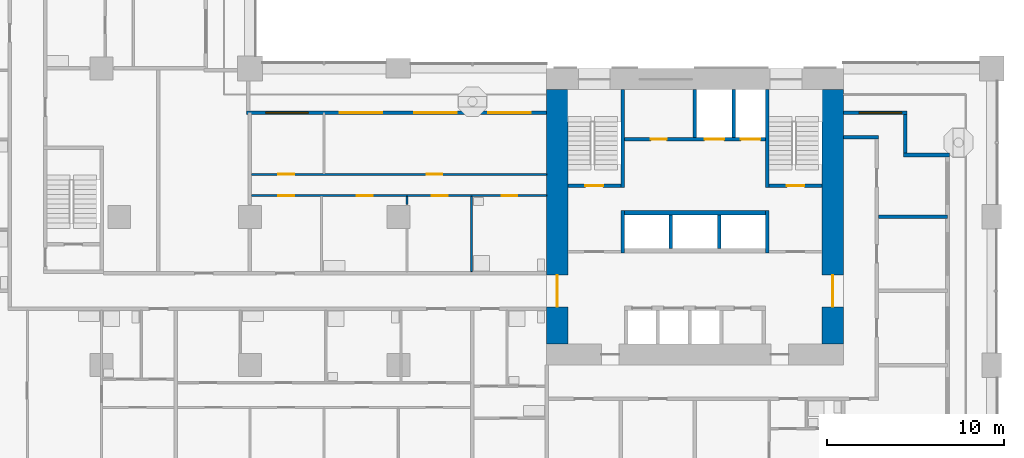
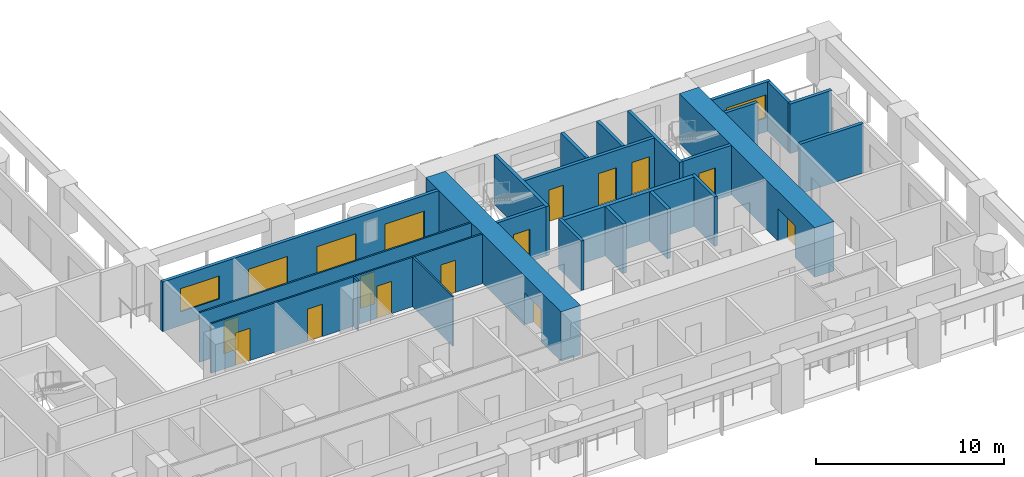
# One storey, part 6 of 19: 24 walls, 16 doors, 2 windows, 18 openings.
"""IFC4 building model written with IfcOpenShell, lengths in metres."""

import ifcopenshell
import ifcopenshell.guid

model = None  # the IFC model being written
_history = None  # IfcOwnerHistory: only IFC2X3 demands one
_inside = {}  # id of a spatial element -> (the spatial element, [elements in it])
_under = {}  # id of a project, library or spatial element -> (it, [spatial elements below it])
_declared = {}  # id of a project -> (the project, [libraries it declares])
_typed = {}  # id of a type object -> (the type object, [elements of that type])
_made_of = {}  # id of a material, layer set ... -> (it, [elements and type objects made of it])


def new_model(schema):
    """Start an empty IFC model of exactly this schema.

    Asked for "IFC4X3", IfcOpenShell would pick the latest addendum, in which some entities
    have other attributes; the version numbers below select the first issue.
    IFC2X3 requires an IfcOwnerHistory on every rooted entity: one is made here for all.
    """
    global model, _history
    if schema == "IFC4X3":
        model = ifcopenshell.file(schema_version=(4, 3, 0, 0))
    else:
        model = ifcopenshell.file(schema=schema)
    _inside.clear()
    _under.clear()
    _declared.clear()
    _typed.clear()
    _made_of.clear()
    _history = None
    if model.schema == "IFC2X3":
        org = make("IfcOrganization", Name="unknown")
        user = make(
            "IfcPersonAndOrganization",
            ThePerson=make("IfcPerson", FamilyName="unknown"),
            TheOrganization=org,
        )
        app = make(
            "IfcApplication",
            ApplicationDeveloper=org,
            Version="unknown",
            ApplicationFullName="unknown",
            ApplicationIdentifier="unknown",
        )
        _history = make(
            "IfcOwnerHistory",
            OwningUser=user,
            OwningApplication=app,
            ChangeAction="ADDED",
            CreationDate=0,
        )
    return model


def make(cls, **values):
    """One entity of the class cls with the attributes given. An attribute that is None is left unset."""
    return model.create_entity(
        cls, **{name: value for name, value in values.items() if value is not None}
    )


def rooted(cls, **values):
    """An entity with a GlobalId (a new one), such as an element, a storey or a relation."""
    return make(cls, GlobalId=ifcopenshell.guid.new(), OwnerHistory=_history, **values)


def si_unit(unit_type, name, prefix=None):
    """IfcSIUnit, for example si_unit("LENGTHUNIT", "METRE", prefix="MILLI")."""
    return make("IfcSIUnit", UnitType=unit_type, Prefix=prefix, Name=name)


def assignment(units):
    """IfcUnitAssignment: the units of a project."""
    return None if units is None else make("IfcUnitAssignment", Units=units)


def point(xyz):
    """IfcCartesianPoint."""
    return None if xyz is None else make("IfcCartesianPoint", Coordinates=xyz)


def direction(xyz):
    """IfcDirection."""
    return None if xyz is None else make("IfcDirection", DirectionRatios=xyz)


def frame(location, z_axis=None, x_axis=None):
    """IfcAxis2Placement3D, a coordinate frame: its origin and axes. An axis left out is left unset."""
    return make(
        "IfcAxis2Placement3D",
        Location=point(location),
        Axis=direction(z_axis),
        RefDirection=direction(x_axis),
    )


def frame_2d(location, x_axis=None):
    """IfcAxis2Placement2D, a coordinate frame in the plane: its origin and x axis."""
    return make(
        "IfcAxis2Placement2D", Location=point(location), RefDirection=direction(x_axis)
    )


def origin():
    """The frame at (0, 0, 0) with its axes left unset."""
    return frame((0.0, 0.0, 0.0))


def place(relative_to, where):
    """IfcLocalPlacement: puts the frame where relative to a parent placement (None: the world)."""
    return make(
        "IfcLocalPlacement", PlacementRelTo=relative_to, RelativePlacement=where
    )


def context(
    kind, dimensions, precision=None, world=None, true_north=None, identifier=None
):
    """IfcGeometricRepresentationContext, for example the 3D "Model" context."""
    return make(
        "IfcGeometricRepresentationContext",
        ContextIdentifier=identifier,
        ContextType=kind,
        CoordinateSpaceDimension=dimensions,
        Precision=precision,
        WorldCoordinateSystem=world,
        TrueNorth=true_north,
    )


def subcontext(parent, identifier, kind, view, scale=None):
    """IfcGeometricRepresentationSubContext, for example "Body" below "Model"."""
    return make(
        "IfcGeometricRepresentationSubContext",
        ContextIdentifier=identifier,
        ContextType=kind,
        ParentContext=parent,
        TargetScale=scale,
        TargetView=view,
    )


def project(units=None, contexts=None):
    """IfcProject with its units and contexts."""
    return rooted(
        "IfcProject",
        Name="project",
        RepresentationContexts=contexts,
        UnitsInContext=assignment(units),
    )


def spatial(cls, under=None, at=None, **own):
    """A site, building, storey or space (cls), placed at a placement, below another one or the project."""
    s = rooted(cls, ObjectPlacement=at, **own)
    if under is not None:
        _under.setdefault(under.id(), (under, []))[1].append(s)
    return s


def profile(cls, at=None, kind="AREA", **sizes):
    """A parametric profile (cls). Its sizes go by their IFC names, for example OverallWidth=200.0."""
    return make(cls, ProfileType=kind, Position=at, **sizes)


def rectangle(**sizes):
    """IfcRectangleProfileDef."""
    return profile("IfcRectangleProfileDef", **sizes)


def extrude(swept, where, along, depth):
    """IfcExtrudedAreaSolid: the profile swept, set in the frame where, extruded along a direction by depth."""
    return make(
        "IfcExtrudedAreaSolid",
        SweptArea=swept,
        Position=where,
        ExtrudedDirection=direction(along),
        Depth=depth,
    )


def shape(context_of_items, identifier, shape_type, items):
    """IfcShapeRepresentation: the items that make up one representation, for example the "Body"."""
    return make(
        "IfcShapeRepresentation",
        ContextOfItems=context_of_items,
        RepresentationIdentifier=identifier,
        RepresentationType=shape_type,
        Items=items,
    )


def material(Name=None, Category=None):
    """IfcMaterial."""
    return make("IfcMaterial", Name=Name, Category=Category)


def layer(
    of_material, thickness, ventilated=None, Name=None, Category=None, Priority=None
):
    """IfcMaterialLayer: one layer of a wall or slab, of a material (None: an air gap)."""
    return make(
        "IfcMaterialLayer",
        Material=of_material,
        LayerThickness=thickness,
        IsVentilated=ventilated,
        Name=Name,
        Category=Category,
        Priority=Priority,
    )


def layer_set(layers, Name=None):
    """IfcMaterialLayerSet."""
    return make("IfcMaterialLayerSet", MaterialLayers=layers, LayerSetName=Name)


def made_of(thing, what):
    """Note that an element or type object is made of a material, layer set ...; save() writes the relation."""
    if what is not None:
        _made_of.setdefault(what.id(), (what, []))[1].append(thing)
    return thing


def type_object(cls, material=None, **own):
    """A type object (cls), such as IfcWallType, which elements share."""
    return made_of(rooted(cls, **own), material)


def element(
    cls,
    number,
    at=None,
    inside=None,
    cuts=None,
    type_object=None,
    material=None,
    context=None,
    identifier="Body",
    shape_type=None,
    held_by="IfcProductDefinitionShape",
    body=None,
    shapes=None,
    **own,
):
    """One element of the class cls, such as IfcWall. Its Tag is "e" and its number.

    at: its placement. inside: the storey or other place that contains it. cuts: it is an
    opening in that element (IfcRelVoidsElement). A single representation is given by context,
    identifier, shape_type and body (its items); several are given by shapes. held_by: the class
    of the entity that holds the representations. save() writes the other relations.
    """
    e = rooted(cls, Tag="e%d" % number, ObjectPlacement=at, **own)
    if body is not None:
        shapes = [shape(context, identifier, shape_type, body)]
    if shapes is not None:
        e.Representation = make(held_by, Representations=shapes)
    if inside is not None:
        _inside.setdefault(inside.id(), (inside, []))[1].append(e)
    if cuts is not None:
        rooted(
            "IfcRelVoidsElement", RelatingBuildingElement=cuts, RelatedOpeningElement=e
        )
    if type_object is not None:
        _typed.setdefault(type_object.id(), (type_object, []))[1].append(e)
    return made_of(e, material)


def fill(opening, filler):
    """IfcRelFillsElement: the door or window that sits in an opening."""
    return rooted(
        "IfcRelFillsElement",
        RelatingOpeningElement=opening,
        RelatedBuildingElement=filler,
    )


def aggregate(whole, parts):
    """IfcRelAggregates: a whole, such as a stair, and the parts it consists of."""
    return rooted("IfcRelAggregates", RelatingObject=whole, RelatedObjects=parts)


def save(model, path):
    """Write the relations noted so far, then the file.

    IfcRelAggregates (storeys below a building ...), IfcRelContainedInSpatialStructure (elements
    in a storey), IfcRelDefinesByType, IfcRelAssociatesMaterial and IfcRelDeclares: one each for
    every whole, place, type object, material and project.
    """
    for whole, parts in _under.values():
        aggregate(whole, parts)
    for where, things in _inside.values():
        rooted(
            "IfcRelContainedInSpatialStructure",
            RelatedElements=things,
            RelatingStructure=where,
        )
    for kind, things in _typed.values():
        rooted("IfcRelDefinesByType", RelatedObjects=things, RelatingType=kind)
    for what, things in _made_of.values():
        rooted("IfcRelAssociatesMaterial", RelatedObjects=things, RelatingMaterial=what)
    for by, libraries in _declared.values():
        rooted("IfcRelDeclares", RelatingContext=by, RelatedDefinitions=libraries)
    model.write(path)


model = new_model("IFC4")

# Units and contexts
model_context = context("Model", 3, precision=1e-05, world=origin(), true_north=direction((0.0, 1.0)))
body_context = subcontext(model_context, "Body", "Model", "MODEL_VIEW")
ifc_project = project(units=[si_unit("LENGTHUNIT", "METRE"), si_unit("AREAUNIT", "SQUARE_METRE"), si_unit("VOLUMEUNIT", "CUBIC_METRE"), si_unit("PLANEANGLEUNIT", "RADIAN"), si_unit("MASSUNIT", "GRAM", prefix="KILO")], contexts=[model_context])

# Site, building, storey
site_placement = place(None, origin())
site = spatial("IfcSite", under=ifc_project, at=site_placement, CompositionType="ELEMENT")
building_placement = place(site_placement, origin())
building = spatial("IfcBuilding", under=site, at=building_placement, Name="Vermilion Gate Residences", CompositionType="ELEMENT")
storey_placement = place(building_placement, frame((0.0, 0.0, 28.699951171875)))
storey = spatial("IfcBuildingStorey", under=building, at=storey_placement, Name="L05", CompositionType="ELEMENT", Elevation=28.699951171875)

# Walls
ifc_material_1 = material(Name="Insulated steel stud wall with terracotta rainscreen", Category="masonry")
ifc_layer_1 = layer(ifc_material_1, 0.199951171875)
ifc_layer_set_1 = layer_set([ifc_layer_1], Name="EXTERNAL WALL 200 TERRACOTTA RAINSCREEN")
wall_type_1 = type_object("IfcWallType", Name="EXTERNAL WALL 200 TERRACOTTA RAINSCREEN", PredefinedType="SOLIDWALL", material=ifc_layer_set_1)
wall_1_placement = place(storey_placement, frame((64.800048828125, 20.300048828125, 0.0), z_axis=(0.0, 0.0, 1.0), x_axis=(-1.0, 0.0, 0.0)))
element("IfcWall", 1, at=wall_1_placement, inside=storey, type_object=wall_type_1, Name="External wall", PredefinedType="SOLIDWALL", context=body_context, shape_type="SweptSolid", body=[
    extrude(rectangle(XDim=2.60009765625, YDim=0.199951171875, at=frame_2d((1.300048828125, 0.0))), origin(), (0.0, 0.0, 1.0), 3.219970703125),
])
wall_2_placement = place(storey_placement, frame((62.300048828125, 20.39990234375, 0.0), z_axis=(0.0, 0.0, 1.0), x_axis=(0.0, 1.0, 0.0)))
element("IfcWall", 2, at=wall_2_placement, inside=storey, type_object=wall_type_1, Name="External wall", PredefinedType="SOLIDWALL", context=body_context, shape_type="SweptSolid", body=[
    extrude(rectangle(XDim=2.2001953125, YDim=0.199951171875, at=frame_2d((1.10009765625, 0.0))), origin(), (0.0, 0.0, 1.0), 3.219970703125),
])

# Wall, opening, window
wall_3_placement = place(storey_placement, frame((62.39990234375, 22.699951171875, 0.0), z_axis=(0.0, 0.0, 1.0), x_axis=(-1.0, 0.0, 0.0)))
wall_3 = element("IfcWall", 3, at=wall_3_placement, inside=storey, type_object=wall_type_1, Name="External wall", PredefinedType="SOLIDWALL", context=body_context, shape_type="SweptSolid", body=[
    extrude(rectangle(XDim=3.599853515625, YDim=0.199951171875, at=frame_2d((1.7998046875, 0.0))), origin(), (0.0, 0.0, 1.0), 3.219970703125),
])
opening_1_placement = place(wall_3_placement, frame((0.300048828125, 0.0, 0.89990234375)))
opening_1 = element("IfcOpeningElement", 4, at=opening_1_placement, cuts=wall_3, Name="Opening WE05032", PredefinedType="OPENING", context=body_context, shape_type="SweptSolid", body=[
    extrude(rectangle(XDim=2.39990234375, YDim=1.5, at=frame_2d((1.199951171875, 0.75))), frame((0.0, 0.10986328125, 0.0), z_axis=(0.0, -1.0, 0.0), x_axis=(1.0, 0.0, 0.0)), (0.0, 0.0, 1.0), 0.219970703125),
])
ifc_material_2 = material(Name="Aluminium and clear glass", Category="aluminium")
window_type = type_object("IfcWindowType", Name="WINDOW 2400 X 1500", PartitioningType="SINGLE_PANEL", PredefinedType="WINDOW", material=ifc_material_2)
window_1_placement = place(opening_1_placement, origin())
window_1 = element("IfcWindow", 5, at=window_1_placement, inside=storey, type_object=window_type, Name="Window", OverallHeight=1.5, OverallWidth=2.39990234375, PartitioningType="SINGLE_PANEL", PredefinedType="WINDOW", context=body_context, shape_type="SweptSolid", body=[
    extrude(rectangle(XDim=2.39990234375, YDim=1.5, at=frame_2d((1.199951171875, 0.75))), frame((0.0, 0.030029296875, 0.0), z_axis=(0.0, -1.0, 0.0), x_axis=(1.0, 0.0, 0.0)), (0.0, 0.0, 1.0), 0.06005859375),
])
fill(opening_1, window_1)

# Wall, openings, doors, window
wall_4_placement = place(storey_placement, frame((42.0, 22.699951171875, 0.0), z_axis=(0.0, 0.0, 1.0), x_axis=(-1.0, 0.0, 0.0)))
wall_4 = element("IfcWall", 6, at=wall_4_placement, inside=storey, type_object=wall_type_1, Name="External wall", PredefinedType="SOLIDWALL", context=body_context, shape_type="SweptSolid", body=[
    extrude(rectangle(XDim=17.0, YDim=0.199951171875, at=frame_2d((8.5, 0.0))), origin(), (0.0, 0.0, 1.0), 3.219970703125),
])
opening_2_placement = place(wall_4_placement, frame((13.5, 0.0, 0.89990234375)))
opening_2 = element("IfcOpeningElement", 7, at=opening_2_placement, cuts=wall_4, Name="Opening WE05033", PredefinedType="OPENING", context=body_context, shape_type="SweptSolid", body=[
    extrude(rectangle(XDim=2.39990234375, YDim=1.5, at=frame_2d((1.199951171875, 0.75))), frame((0.0, 0.10986328125, 0.0), z_axis=(0.0, -1.0, 0.0), x_axis=(1.0, 0.0, 0.0)), (0.0, 0.0, 1.0), 0.219970703125),
])
opening_3_placement = place(wall_4_placement, frame((9.300048828125, 0.0, 0.0)))
opening_3 = element("IfcOpeningElement", 8, at=opening_3_placement, cuts=wall_4, Name="Opening DE05034", PredefinedType="OPENING", context=body_context, shape_type="SweptSolid", body=[
    extrude(rectangle(XDim=2.39990234375, YDim=2.199951171875, at=frame_2d((1.199951171875, 1.10009765625))), frame((0.0, 0.10986328125, 0.0), z_axis=(0.0, -1.0, 0.0), x_axis=(1.0, 0.0, 0.0)), (0.0, 0.0, 1.0), 0.219970703125),
])
opening_4_placement = place(wall_4_placement, frame((5.10009765625, 0.0, 0.0)))
opening_4 = element("IfcOpeningElement", 9, at=opening_4_placement, cuts=wall_4, Name="Opening DE05035", PredefinedType="OPENING", context=body_context, shape_type="SweptSolid", body=[
    extrude(rectangle(XDim=2.39990234375, YDim=2.199951171875, at=frame_2d((1.199951171875, 1.10009765625))), frame((0.0, 0.10986328125, 0.0), z_axis=(0.0, -1.0, 0.0), x_axis=(1.0, 0.0, 0.0)), (0.0, 0.0, 1.0), 0.219970703125),
])
opening_5_placement = place(wall_4_placement, frame((0.89990234375, 0.0, 0.0)))
opening_5 = element("IfcOpeningElement", 10, at=opening_5_placement, cuts=wall_4, Name="Opening DE05036", PredefinedType="OPENING", context=body_context, shape_type="SweptSolid", body=[
    extrude(rectangle(XDim=2.39990234375, YDim=2.199951171875, at=frame_2d((1.199951171875, 1.10009765625))), frame((0.0, 0.10986328125, 0.0), z_axis=(0.0, -1.0, 0.0), x_axis=(1.0, 0.0, 0.0)), (0.0, 0.0, 1.0), 0.219970703125),
])
ifc_material_3 = material(Name="Aluminium and clear glass", Category="aluminium")
door_type_1 = type_object("IfcDoorType", Name="SLIDING GLAZED DOOR 2400 X 2200", OperationType="DOUBLE_DOOR_SLIDING", PredefinedType="DOOR", material=ifc_material_3)
door_1_placement = place(opening_3_placement, origin())
door_1 = element("IfcDoor", 11, at=door_1_placement, inside=storey, type_object=door_type_1, Name="Loggia sliding door", OperationType="DOUBLE_DOOR_SLIDING", OverallHeight=2.199951171875, OverallWidth=2.39990234375, PredefinedType="DOOR", context=body_context, shape_type="SweptSolid", body=[
    extrude(rectangle(XDim=2.39990234375, YDim=2.199951171875, at=frame_2d((1.199951171875, 1.10009765625))), frame((0.0, 0.02490234375, 0.0), z_axis=(0.0, -1.0, 0.0), x_axis=(1.0, 0.0, 0.0)), (0.0, 0.0, 1.0), 0.050048828125),
])
fill(opening_3, door_1)
door_2_placement = place(opening_4_placement, origin())
door_2 = element("IfcDoor", 12, at=door_2_placement, inside=storey, type_object=door_type_1, Name="Loggia sliding door", OperationType="DOUBLE_DOOR_SLIDING", OverallHeight=2.199951171875, OverallWidth=2.39990234375, PredefinedType="DOOR", context=body_context, shape_type="SweptSolid", body=[
    extrude(rectangle(XDim=2.39990234375, YDim=2.199951171875, at=frame_2d((1.199951171875, 1.10009765625))), frame((0.0, 0.02490234375, 0.0), z_axis=(0.0, -1.0, 0.0), x_axis=(1.0, 0.0, 0.0)), (0.0, 0.0, 1.0), 0.050048828125),
])
fill(opening_4, door_2)
door_3_placement = place(opening_5_placement, origin())
door_3 = element("IfcDoor", 13, at=door_3_placement, inside=storey, type_object=door_type_1, Name="Loggia sliding door", OperationType="DOUBLE_DOOR_SLIDING", OverallHeight=2.199951171875, OverallWidth=2.39990234375, PredefinedType="DOOR", context=body_context, shape_type="SweptSolid", body=[
    extrude(rectangle(XDim=2.39990234375, YDim=2.199951171875, at=frame_2d((1.199951171875, 1.10009765625))), frame((0.0, 0.02490234375, 0.0), z_axis=(0.0, -1.0, 0.0), x_axis=(1.0, 0.0, 0.0)), (0.0, 0.0, 1.0), 0.050048828125),
])
fill(opening_5, door_3)
window_2_placement = place(opening_2_placement, origin())
window_2 = element("IfcWindow", 14, at=window_2_placement, inside=storey, type_object=window_type, Name="Window", OverallHeight=1.5, OverallWidth=2.39990234375, PartitioningType="SINGLE_PANEL", PredefinedType="WINDOW", context=body_context, shape_type="SweptSolid", body=[
    extrude(rectangle(XDim=2.39990234375, YDim=1.5, at=frame_2d((1.199951171875, 0.75))), frame((0.0, 0.030029296875, 0.0), z_axis=(0.0, -1.0, 0.0), x_axis=(1.0, 0.0, 0.0)), (0.0, 0.0, 1.0), 0.06005859375),
])
fill(opening_2, window_2)

# Wall, openings, doors
ifc_material_4 = material(Name="Plasterboard on steel studs", Category="steel")
ifc_layer_2 = layer(ifc_material_4, 0.10009765625)
ifc_layer_set_2 = layer_set([ifc_layer_2], Name="PARTITION 100")
wall_type_2 = type_object("IfcWallType", Name="PARTITION 100", PredefinedType="PARTITIONING", material=ifc_layer_set_2)
wall_5_placement = place(storey_placement, frame((25.300048828125, 18.0, 0.0), z_axis=(0.0, 0.0, 1.0), x_axis=(1.0, 0.0, 0.0)))
wall_5 = element("IfcWall", 15, at=wall_5_placement, inside=storey, type_object=wall_type_2, Name="Partition", PredefinedType="PARTITIONING", context=body_context, shape_type="SweptSolid", body=[
    extrude(rectangle(XDim=16.699951171875, YDim=0.10009765625, at=frame_2d((8.35009765625, 0.0))), origin(), (0.0, 0.0, 1.0), 3.219970703125),
])
opening_6_placement = place(wall_5_placement, frame((1.5, 0.0, 0.0)))
opening_6 = element("IfcOpeningElement", 16, at=opening_6_placement, cuts=wall_5, Name="Opening DA04026", PredefinedType="OPENING", context=body_context, shape_type="SweptSolid", body=[
    extrude(rectangle(XDim=0.89990234375, YDim=2.10009765625, at=frame_2d((0.449951171875, 1.050048828125))), frame((0.0, 0.06005859375, 0.0), z_axis=(0.0, -1.0, 0.0), x_axis=(1.0, 0.0, 0.0)), (0.0, 0.0, 1.0), 0.1201171875),
])
opening_7_placement = place(wall_5_placement, frame((5.949951171875, 0.0, 0.0)))
opening_7 = element("IfcOpeningElement", 17, at=opening_7_placement, cuts=wall_5, Name="Opening DA04027", PredefinedType="OPENING", context=body_context, shape_type="SweptSolid", body=[
    extrude(rectangle(XDim=0.89990234375, YDim=2.10009765625, at=frame_2d((0.449951171875, 1.050048828125))), frame((0.0, 0.06005859375, 0.0), z_axis=(0.0, -1.0, 0.0), x_axis=(1.0, 0.0, 0.0)), (0.0, 0.0, 1.0), 0.1201171875),
])
opening_8_placement = place(wall_5_placement, frame((10.199951171875, 0.0, 0.0)))
opening_8 = element("IfcOpeningElement", 18, at=opening_8_placement, cuts=wall_5, Name="Opening DA04028", PredefinedType="OPENING", context=body_context, shape_type="SweptSolid", body=[
    extrude(rectangle(XDim=0.89990234375, YDim=2.10009765625, at=frame_2d((0.449951171875, 1.050048828125))), frame((0.0, 0.06005859375, 0.0), z_axis=(0.0, -1.0, 0.0), x_axis=(1.0, 0.0, 0.0)), (0.0, 0.0, 1.0), 0.1201171875),
])
opening_9_placement = place(wall_5_placement, frame((14.14990234375, 0.0, 0.0)))
opening_9 = element("IfcOpeningElement", 19, at=opening_9_placement, cuts=wall_5, Name="Opening DA04029", PredefinedType="OPENING", context=body_context, shape_type="SweptSolid", body=[
    extrude(rectangle(XDim=0.89990234375, YDim=2.10009765625, at=frame_2d((0.449951171875, 1.050048828125))), frame((0.0, 0.06005859375, 0.0), z_axis=(0.0, -1.0, 0.0), x_axis=(1.0, 0.0, 0.0)), (0.0, 0.0, 1.0), 0.1201171875),
])
ifc_material_5 = material(Name="Timber", Category="wood")
door_type_2 = type_object("IfcDoorType", Name="INTERIOR DOOR 900 X 2100", OperationType="SINGLE_SWING_LEFT", PredefinedType="DOOR", material=ifc_material_5)
door_4_placement = place(opening_6_placement, frame((0.89990234375, 0.0, 0.0), z_axis=(0.0, 0.0, 1.0), x_axis=(-1.0, 0.0, 0.0)))
door_4 = element("IfcDoor", 20, at=door_4_placement, inside=storey, type_object=door_type_2, Name="Interior door", OperationType="SINGLE_SWING_RIGHT", OverallHeight=2.10009765625, OverallWidth=0.89990234375, PredefinedType="DOOR", context=body_context, shape_type="SweptSolid", body=[
    extrude(rectangle(XDim=0.89990234375, YDim=2.10009765625, at=frame_2d((0.449951171875, 1.050048828125))), frame((0.0, 0.02490234375, 0.0), z_axis=(0.0, -1.0, 0.0), x_axis=(1.0, 0.0, 0.0)), (0.0, 0.0, 1.0), 0.050048828125),
])
fill(opening_6, door_4)
door_5_placement = place(opening_7_placement, frame((0.89990234375, 0.0, 0.0), z_axis=(0.0, 0.0, 1.0), x_axis=(-1.0, 0.0, 0.0)))
door_5 = element("IfcDoor", 21, at=door_5_placement, inside=storey, type_object=door_type_2, Name="Interior door", OperationType="SINGLE_SWING_LEFT", OverallHeight=2.10009765625, OverallWidth=0.89990234375, PredefinedType="DOOR", context=body_context, shape_type="SweptSolid", body=[
    extrude(rectangle(XDim=0.89990234375, YDim=2.10009765625, at=frame_2d((0.449951171875, 1.050048828125))), frame((0.0, 0.02490234375, 0.0), z_axis=(0.0, -1.0, 0.0), x_axis=(1.0, 0.0, 0.0)), (0.0, 0.0, 1.0), 0.050048828125),
])
fill(opening_7, door_5)
door_6_placement = place(opening_8_placement, frame((0.89990234375, 0.0, 0.0), z_axis=(0.0, 0.0, 1.0), x_axis=(-1.0, 0.0, 0.0)))
door_6 = element("IfcDoor", 22, at=door_6_placement, inside=storey, type_object=door_type_2, Name="Interior door", OperationType="SINGLE_SWING_LEFT", OverallHeight=2.10009765625, OverallWidth=0.89990234375, PredefinedType="DOOR", context=body_context, shape_type="SweptSolid", body=[
    extrude(rectangle(XDim=0.89990234375, YDim=2.10009765625, at=frame_2d((0.449951171875, 1.050048828125))), frame((0.0, 0.02490234375, 0.0), z_axis=(0.0, -1.0, 0.0), x_axis=(1.0, 0.0, 0.0)), (0.0, 0.0, 1.0), 0.050048828125),
])
fill(opening_8, door_6)
door_7_placement = place(opening_9_placement, frame((0.89990234375, 0.0, 0.0), z_axis=(0.0, 0.0, 1.0), x_axis=(-1.0, 0.0, 0.0)))
door_7 = element("IfcDoor", 23, at=door_7_placement, inside=storey, type_object=door_type_2, Name="Interior door", OperationType="SINGLE_SWING_RIGHT", OverallHeight=2.10009765625, OverallWidth=0.89990234375, PredefinedType="DOOR", context=body_context, shape_type="SweptSolid", body=[
    extrude(rectangle(XDim=0.89990234375, YDim=2.10009765625, at=frame_2d((0.449951171875, 1.050048828125))), frame((0.0, 0.02490234375, 0.0), z_axis=(0.0, -1.0, 0.0), x_axis=(1.0, 0.0, 0.0)), (0.0, 0.0, 1.0), 0.050048828125),
])
fill(opening_9, door_7)

wall_6_placement = place(storey_placement, frame((25.300048828125, 19.199951171875, 0.0), z_axis=(0.0, 0.0, 1.0), x_axis=(1.0, 0.0, 0.0)))
wall_6 = element("IfcWall", 24, at=wall_6_placement, inside=storey, type_object=wall_type_2, Name="Partition", PredefinedType="PARTITIONING", context=body_context, shape_type="SweptSolid", body=[
    extrude(rectangle(XDim=16.699951171875, YDim=0.10009765625, at=frame_2d((8.35009765625, 0.0))), origin(), (0.0, 0.0, 1.0), 3.219970703125),
])
opening_10_placement = place(wall_6_placement, frame((1.5, 0.0, 0.0)))
opening_10 = element("IfcOpeningElement", 25, at=opening_10_placement, cuts=wall_6, Name="Opening DA04030", PredefinedType="OPENING", context=body_context, shape_type="SweptSolid", body=[
    extrude(rectangle(XDim=0.89990234375, YDim=2.10009765625, at=frame_2d((0.449951171875, 1.050048828125))), frame((0.0, 0.06005859375, 0.0), z_axis=(0.0, -1.0, 0.0), x_axis=(1.0, 0.0, 0.0)), (0.0, 0.0, 1.0), 0.1201171875),
])
opening_11_placement = place(wall_6_placement, frame((9.89990234375, 0.0, 0.0)))
opening_11 = element("IfcOpeningElement", 26, at=opening_11_placement, cuts=wall_6, Name="Opening DA04031", PredefinedType="OPENING", context=body_context, shape_type="SweptSolid", body=[
    extrude(rectangle(XDim=0.89990234375, YDim=2.10009765625, at=frame_2d((0.449951171875, 1.050048828125))), frame((0.0, 0.06005859375, 0.0), z_axis=(0.0, -1.0, 0.0), x_axis=(1.0, 0.0, 0.0)), (0.0, 0.0, 1.0), 0.1201171875),
])
door_8_placement = place(opening_10_placement, origin())
door_8 = element("IfcDoor", 27, at=door_8_placement, inside=storey, type_object=door_type_2, Name="Interior door", OperationType="SINGLE_SWING_LEFT", OverallHeight=2.10009765625, OverallWidth=0.89990234375, PredefinedType="DOOR", context=body_context, shape_type="SweptSolid", body=[
    extrude(rectangle(XDim=0.89990234375, YDim=2.10009765625, at=frame_2d((0.449951171875, 1.050048828125))), frame((0.0, 0.02490234375, 0.0), z_axis=(0.0, -1.0, 0.0), x_axis=(1.0, 0.0, 0.0)), (0.0, 0.0, 1.0), 0.050048828125),
])
fill(opening_10, door_8)
door_9_placement = place(opening_11_placement, origin())
door_9 = element("IfcDoor", 28, at=door_9_placement, inside=storey, type_object=door_type_2, Name="Interior door", OperationType="SINGLE_SWING_LEFT", OverallHeight=2.10009765625, OverallWidth=0.89990234375, PredefinedType="DOOR", context=body_context, shape_type="SweptSolid", body=[
    extrude(rectangle(XDim=0.89990234375, YDim=2.10009765625, at=frame_2d((0.449951171875, 1.050048828125))), frame((0.0, 0.02490234375, 0.0), z_axis=(0.0, -1.0, 0.0), x_axis=(1.0, 0.0, 0.0)), (0.0, 0.0, 1.0), 0.050048828125),
])
fill(opening_11, door_9)

# Walls
wall_7_placement = place(storey_placement, frame((34.10009765625, 17.5, 0.0), z_axis=(0.0, 0.0, 1.0), x_axis=(0.0, 1.0, 0.0)))
element("IfcWall", 29, at=wall_7_placement, inside=storey, type_object=wall_type_2, Name="Partition", PredefinedType="PARTITIONING", context=body_context, shape_type="SweptSolid", body=[
    extrude(rectangle(XDim=0.449951171875, YDim=0.10009765625, at=frame_2d((0.22509765625, 0.0))), origin(), (0.0, 0.0, 1.0), 3.219970703125),
])
wall_8_placement = place(storey_placement, frame((37.75, 13.699951171875, 0.0), z_axis=(0.0, 0.0, 1.0), x_axis=(0.0, 1.0, 0.0)))
element("IfcWall", 30, at=wall_8_placement, inside=storey, type_object=wall_type_2, Name="Partition", PredefinedType="PARTITIONING", context=body_context, shape_type="SweptSolid", body=[
    extrude(rectangle(XDim=4.25, YDim=0.10009765625, at=frame_2d((2.125, 0.0))), origin(), (0.0, 0.0, 1.0), 3.219970703125),
])
ifc_material_6 = material(Name="Fire-rated plasterboard on steel studs", Category="steel")
ifc_layer_3 = layer(ifc_material_6, 0.199951171875)
ifc_layer_set_3 = layer_set([ifc_layer_3], Name="PARTY WALL 200 EI 120")
wall_type_3 = type_object("IfcWallType", Name="PARTY WALL 200 EI 120", PredefinedType="PARTITIONING", material=ifc_layer_set_3)
wall_9_placement = place(storey_placement, frame((60.800048828125, 16.800048828125, 0.0), z_axis=(0.0, 0.0, 1.0), x_axis=(1.0, 0.0, 0.0)))
element("IfcWall", 31, at=wall_9_placement, inside=storey, type_object=wall_type_3, Name="Party and corridor wall", PredefinedType="PARTITIONING", context=body_context, shape_type="SweptSolid", body=[
    extrude(rectangle(XDim=3.89990234375, YDim=0.199951171875, at=frame_2d((1.949951171875, 0.0))), origin(), (0.0, 0.0, 1.0), 3.219970703125),
])
wall_10_placement = place(storey_placement, frame((58.800048828125, 21.300048828125, 0.0), z_axis=(0.0, 0.0, 1.0), x_axis=(1.0, 0.0, 0.0)))
element("IfcWall", 32, at=wall_10_placement, inside=storey, type_object=wall_type_3, Name="Party and corridor wall", PredefinedType="PARTITIONING", context=body_context, shape_type="SweptSolid", body=[
    extrude(rectangle(XDim=2.0, YDim=0.199951171875, at=frame_2d((1.0, 0.0))), origin(), (0.0, 0.0, 1.0), 3.219970703125),
])
ifc_material_7 = material(Name="Concrete C60", Category="concrete")
ifc_layer_4 = layer(ifc_material_7, 0.199951171875)
ifc_layer_set_4 = layer_set([ifc_layer_4], Name="RC CORE INTERNAL WALL 200 C60")
wall_type_4 = type_object("IfcWallType", Name="RC CORE INTERNAL WALL 200 C60", PredefinedType="SHEAR", material=ifc_layer_set_4)
for number, where, z_axis, x_axis, name in (
    (33, (49.033447265625, 15.0, 0.0), (0.0, 0.0, 1.0), (0.0, 1.0, 0.0), "Core internal wall A05-HR-D1"),
    (34, (51.7666015625, 15.0, 0.0), (0.0, 0.0, 1.0), (0.0, 1.0, 0.0), "Core internal wall A05-HR-D2"),
):
    element("IfcWall", number, at=place(storey_placement, frame(where, z_axis=z_axis, x_axis=x_axis)), inside=storey, type_object=wall_type_4, Name=name, PredefinedType="SHEAR", context=body_context, shape_type="SweptSolid", body=[
        extrude(rectangle(XDim=1.89990234375, YDim=0.199951171875, at=frame_2d((0.949951171875, 0.0))), origin(), (0.0, 0.0, 1.0), 3.219970703125),
    ])
for number, where, z_axis, x_axis, name in (
    (35, (50.39990234375, 21.300048828125, 0.0), (0.0, 0.0, 1.0), (0.0, 1.0, 0.0), "Core internal wall A05-FF-D0"),
    (36, (52.60009765625, 21.300048828125, 0.0), (0.0, 0.0, 1.0), (0.0, 1.0, 0.0), "Core internal wall A05-FF-D1"),
):
    element("IfcWall", number, at=place(storey_placement, frame(where, z_axis=z_axis, x_axis=x_axis)), inside=storey, type_object=wall_type_4, Name=name, PredefinedType="SHEAR", context=body_context, shape_type="SweptSolid", body=[
        extrude(rectangle(XDim=2.699951171875, YDim=0.199951171875, at=frame_2d((1.35009765625, 0.0))), origin(), (0.0, 0.0, 1.0), 3.219970703125),
    ])

# Wall, openings, doors
wall_11_placement = place(storey_placement, frame((46.39990234375, 21.199951171875, 0.0), z_axis=(0.0, 0.0, 1.0), x_axis=(1.0, 0.0, 0.0)))
wall_11 = element("IfcWall", 37, at=wall_11_placement, inside=storey, type_object=wall_type_4, Name="Core internal wall A05-FF-F", PredefinedType="SHEAR", context=body_context, shape_type="SweptSolid", body=[
    extrude(rectangle(XDim=8.0, YDim=0.199951171875, at=frame_2d((4.0, 0.0))), origin(), (0.0, 0.0, 1.0), 3.219970703125),
])
opening_12_placement = place(wall_11_placement, frame((1.5, 0.0, 0.0)))
opening_12 = element("IfcOpeningElement", 38, at=opening_12_placement, cuts=wall_11, Name="Opening DK05009", PredefinedType="OPENING", context=body_context, shape_type="SweptSolid", body=[
    extrude(rectangle(XDim=0.89990234375, YDim=2.10009765625, at=frame_2d((0.449951171875, 1.050048828125))), frame((0.0, 0.10986328125, 0.0), z_axis=(0.0, -1.0, 0.0), x_axis=(1.0, 0.0, 0.0)), (0.0, 0.0, 1.0), 0.219970703125),
])
opening_13_placement = place(wall_11_placement, frame((4.550048828125, 0.0, 0.0)))
opening_13 = element("IfcOpeningElement", 39, at=opening_13_placement, cuts=wall_11, Name="Opening LD", PredefinedType="OPENING", context=body_context, shape_type="SweptSolid", body=[
    extrude(rectangle(XDim=1.10009765625, YDim=2.10009765625, at=frame_2d((0.550048828125, 1.050048828125))), frame((0.0, 0.10986328125, 0.0), z_axis=(0.0, -1.0, 0.0), x_axis=(1.0, 0.0, 0.0)), (0.0, 0.0, 1.0), 0.219970703125),
])
opening_14_placement = place(wall_11_placement, frame((6.60009765625, 0.0, 0.0)))
opening_14 = element("IfcOpeningElement", 40, at=opening_14_placement, cuts=wall_11, Name="Opening LD", PredefinedType="OPENING", context=body_context, shape_type="SweptSolid", body=[
    extrude(rectangle(XDim=1.10009765625, YDim=2.10009765625, at=frame_2d((0.550048828125, 1.050048828125))), frame((0.0, 0.10986328125, 0.0), z_axis=(0.0, -1.0, 0.0), x_axis=(1.0, 0.0, 0.0)), (0.0, 0.0, 1.0), 0.219970703125),
])
ifc_material_8 = material(Name="Stainless steel", Category="steel")
door_type_3 = type_object("IfcDoorType", Name="LIFT LANDING DOOR E60 1100 X 2100", OperationType="DOUBLE_DOOR_SLIDING", PredefinedType="DOOR", material=ifc_material_8)
door_10_placement = place(opening_13_placement, origin())
door_10 = element("IfcDoor", 41, at=door_10_placement, inside=storey, type_object=door_type_3, Name="Lift landing door LFA1", OperationType="DOUBLE_DOOR_SLIDING", OverallHeight=2.10009765625, OverallWidth=1.10009765625, PredefinedType="DOOR", context=body_context, shape_type="SweptSolid", body=[
    extrude(rectangle(XDim=1.10009765625, YDim=2.10009765625, at=frame_2d((0.550048828125, 1.050048828125))), frame((0.0, 0.02490234375, 0.0), z_axis=(0.0, -1.0, 0.0), x_axis=(1.0, 0.0, 0.0)), (0.0, 0.0, 1.0), 0.050048828125),
])
fill(opening_13, door_10)
door_11_placement = place(opening_14_placement, origin())
door_11 = element("IfcDoor", 42, at=door_11_placement, inside=storey, type_object=door_type_3, Name="Lift landing door LCA1", OperationType="DOUBLE_DOOR_SLIDING", OverallHeight=2.10009765625, OverallWidth=1.10009765625, PredefinedType="DOOR", context=body_context, shape_type="SweptSolid", body=[
    extrude(rectangle(XDim=1.10009765625, YDim=2.10009765625, at=frame_2d((0.550048828125, 1.050048828125))), frame((0.0, 0.02490234375, 0.0), z_axis=(0.0, -1.0, 0.0), x_axis=(1.0, 0.0, 0.0)), (0.0, 0.0, 1.0), 0.050048828125),
])
fill(opening_14, door_11)
ifc_material_9 = material(Name="Steel", Category="steel")
door_type_4 = type_object("IfcDoorType", Name="SERVICE ROOM DOOR FD60 900 X 2100", OperationType="SINGLE_SWING_LEFT", PredefinedType="DOOR", material=ifc_material_9)
door_12_placement = place(opening_12_placement, origin())
door_12 = element("IfcDoor", 43, at=door_12_placement, inside=storey, type_object=door_type_4, Name="Electrical riser A05", OperationType="SINGLE_SWING_LEFT", OverallHeight=2.10009765625, OverallWidth=0.89990234375, PredefinedType="DOOR", context=body_context, shape_type="SweptSolid", body=[
    extrude(rectangle(XDim=0.89990234375, YDim=2.10009765625, at=frame_2d((0.449951171875, 1.050048828125))), frame((0.0, 0.02490234375, 0.0), z_axis=(0.0, -1.0, 0.0), x_axis=(1.0, 0.0, 0.0)), (0.0, 0.0, 1.0), 0.050048828125),
])
fill(opening_12, door_12)

# Walls
wall_12_placement = place(storey_placement, frame((46.300048828125, 14.75, 0.0), z_axis=(0.0, 0.0, 1.0), x_axis=(0.0, 1.0, 0.0)))
element("IfcWall", 44, at=wall_12_placement, inside=storey, type_object=wall_type_4, Name="Core internal wall A05-WDIV1", PredefinedType="SHEAR", context=body_context, shape_type="SweptSolid", body=[
    extrude(rectangle(XDim=2.39990234375, YDim=0.199951171875, at=frame_2d((1.199951171875, 0.0))), origin(), (0.0, 0.0, 1.0), 3.219970703125),
])
wall_13_placement = place(storey_placement, frame((46.300048828125, 18.449951171875, 0.0), z_axis=(0.0, 0.0, 1.0), x_axis=(0.0, 1.0, 0.0)))
element("IfcWall", 45, at=wall_13_placement, inside=storey, type_object=wall_type_4, Name="Core internal wall A05-WDIV2", PredefinedType="SHEAR", context=body_context, shape_type="SweptSolid", body=[
    extrude(rectangle(XDim=5.550048828125, YDim=0.199951171875, at=frame_2d((2.77490234375, 0.0))), origin(), (0.0, 0.0, 1.0), 3.219970703125),
])

# Wall, opening, door
wall_14_placement = place(storey_placement, frame((43.199951171875, 18.550048828125, 0.0), z_axis=(0.0, 0.0, 1.0), x_axis=(1.0, 0.0, 0.0)))
wall_14 = element("IfcWall", 46, at=wall_14_placement, inside=storey, type_object=wall_type_4, Name="Core internal wall A05-STW-S", PredefinedType="SHEAR", context=body_context, shape_type="SweptSolid", body=[
    extrude(rectangle(XDim=3.0, YDim=0.199951171875, at=frame_2d((1.5, 0.0))), origin(), (0.0, 0.0, 1.0), 3.219970703125),
])
opening_15_placement = place(wall_14_placement, frame((1.0, 0.0, 0.0)))
opening_15 = element("IfcOpeningElement", 47, at=opening_15_placement, cuts=wall_14, Name="Opening DK05013", PredefinedType="OPENING", context=body_context, shape_type="SweptSolid", body=[
    extrude(rectangle(XDim=1.0, YDim=2.10009765625, at=frame_2d((0.5, 1.050048828125))), frame((0.0, 0.10986328125, 0.0), z_axis=(0.0, -1.0, 0.0), x_axis=(1.0, 0.0, 0.0)), (0.0, 0.0, 1.0), 0.219970703125),
])
ifc_material_10 = material(Name="Steel", Category="steel")
door_type_5 = type_object("IfcDoorType", Name="FIRE DOOR FD60 1000 X 2100", OperationType="SINGLE_SWING_LEFT", PredefinedType="DOOR", material=ifc_material_10)
door_13_placement = place(opening_15_placement, origin())
door_13 = element("IfcDoor", 48, at=door_13_placement, inside=storey, type_object=door_type_5, Name="Stair door A05", OperationType="SINGLE_SWING_LEFT", OverallHeight=2.10009765625, OverallWidth=1.0, PredefinedType="DOOR", context=body_context, shape_type="SweptSolid", body=[
    extrude(rectangle(XDim=1.0, YDim=2.10009765625, at=frame_2d((0.5, 1.050048828125))), frame((0.0, 0.02490234375, 0.0), z_axis=(0.0, -1.0, 0.0), x_axis=(1.0, 0.0, 0.0)), (0.0, 0.0, 1.0), 0.050048828125),
])
fill(opening_15, door_13)

# Walls
wall_15_placement = place(storey_placement, frame((54.5, 14.75, 0.0), z_axis=(0.0, 0.0, 1.0), x_axis=(0.0, 1.0, 0.0)))
element("IfcWall", 49, at=wall_15_placement, inside=storey, type_object=wall_type_4, Name="Core internal wall A05-EDIV1", PredefinedType="SHEAR", context=body_context, shape_type="SweptSolid", body=[
    extrude(rectangle(XDim=2.39990234375, YDim=0.199951171875, at=frame_2d((1.199951171875, 0.0))), origin(), (0.0, 0.0, 1.0), 3.219970703125),
])
wall_16_placement = place(storey_placement, frame((54.5, 18.449951171875, 0.0), z_axis=(0.0, 0.0, 1.0), x_axis=(0.0, 1.0, 0.0)))
element("IfcWall", 50, at=wall_16_placement, inside=storey, type_object=wall_type_4, Name="Core internal wall A05-EDIV2", PredefinedType="SHEAR", context=body_context, shape_type="SweptSolid", body=[
    extrude(rectangle(XDim=5.550048828125, YDim=0.199951171875, at=frame_2d((2.77490234375, 0.0))), origin(), (0.0, 0.0, 1.0), 3.219970703125),
])

# Wall, opening, door
wall_17_placement = place(storey_placement, frame((54.60009765625, 18.550048828125, 0.0), z_axis=(0.0, 0.0, 1.0), x_axis=(1.0, 0.0, 0.0)))
wall_17 = element("IfcWall", 51, at=wall_17_placement, inside=storey, type_object=wall_type_4, Name="Core internal wall A05-STE-S", PredefinedType="SHEAR", context=body_context, shape_type="SweptSolid", body=[
    extrude(rectangle(XDim=3.0, YDim=0.199951171875, at=frame_2d((1.5, 0.0))), origin(), (0.0, 0.0, 1.0), 3.219970703125),
])
opening_16_placement = place(wall_17_placement, frame((1.0, 0.0, 0.0)))
opening_16 = element("IfcOpeningElement", 52, at=opening_16_placement, cuts=wall_17, Name="Opening DK05015", PredefinedType="OPENING", context=body_context, shape_type="SweptSolid", body=[
    extrude(rectangle(XDim=1.0, YDim=2.10009765625, at=frame_2d((0.5, 1.050048828125))), frame((0.0, 0.10986328125, 0.0), z_axis=(0.0, -1.0, 0.0), x_axis=(1.0, 0.0, 0.0)), (0.0, 0.0, 1.0), 0.219970703125),
])
door_14_placement = place(opening_16_placement, origin())
door_14 = element("IfcDoor", 53, at=door_14_placement, inside=storey, type_object=door_type_5, Name="Stair door A05", OperationType="SINGLE_SWING_LEFT", OverallHeight=2.10009765625, OverallWidth=1.0, PredefinedType="DOOR", context=body_context, shape_type="SweptSolid", body=[
    extrude(rectangle(XDim=1.0, YDim=2.10009765625, at=frame_2d((0.5, 1.050048828125))), frame((0.0, 0.02490234375, 0.0), z_axis=(0.0, -1.0, 0.0), x_axis=(1.0, 0.0, 0.0)), (0.0, 0.0, 1.0), 0.050048828125),
])
fill(opening_16, door_14)

ifc_material_11 = material(Name="Concrete C80", Category="concrete")
ifc_layer_5 = layer(ifc_material_11, 1.199951171875)
ifc_layer_set_5 = layer_set([ifc_layer_5], Name="RC CORE WALL 1200 C80")
wall_type_5 = type_object("IfcWallType", Name="RC CORE WALL 1200 C80", PredefinedType="SHEAR", material=ifc_layer_set_5)
wall_18_placement = place(storey_placement, frame((42.60009765625, 9.60009765625, 0.0), z_axis=(0.0, 0.0, 1.0), x_axis=(0.0, 1.0, 0.0)))
wall_18 = element("IfcWall", 54, at=wall_18_placement, inside=storey, type_object=wall_type_5, Name="Core wall A05-OUT-FR", PredefinedType="SHEAR", context=body_context, shape_type="SweptSolid", body=[
    extrude(rectangle(XDim=14.39990234375, YDim=1.199951171875, at=frame_2d((7.199951171875, 0.0))), origin(), (0.0, 0.0, 1.0), 3.219970703125),
])
opening_17_placement = place(wall_18_placement, frame((2.10009765625, 0.0, 0.0)))
opening_17 = element("IfcOpeningElement", 55, at=opening_17_placement, cuts=wall_18, Name="Opening DK05003", PredefinedType="OPENING", context=body_context, shape_type="SweptSolid", body=[
    extrude(rectangle(XDim=1.800048828125, YDim=2.10009765625, at=frame_2d((0.89990234375, 1.050048828125))), frame((0.0, 0.60986328125, 0.0), z_axis=(0.0, -1.0, 0.0), x_axis=(1.0, 0.0, 0.0)), (0.0, 0.0, 1.0), 1.219970703125),
])
ifc_material_12 = material(Name="Steel", Category="steel")
door_type_6 = type_object("IfcDoorType", Name="CORE LOBBY DOOR FD60 1800 X 2100", OperationType="DOUBLE_DOOR_SINGLE_SWING", PredefinedType="DOOR", material=ifc_material_12)
door_15_placement = place(opening_17_placement, frame((1.800048828125, 0.0, 0.0), z_axis=(0.0, 0.0, 1.0), x_axis=(-1.0, 0.0, 0.0)))
door_15 = element("IfcDoor", 56, at=door_15_placement, inside=storey, type_object=door_type_6, Name="Core lobby door A05", OperationType="DOUBLE_DOOR_SINGLE_SWING", OverallHeight=2.10009765625, OverallWidth=1.800048828125, PredefinedType="DOOR", context=body_context, shape_type="SweptSolid", body=[
    extrude(rectangle(XDim=1.800048828125, YDim=2.10009765625, at=frame_2d((0.89990234375, 1.050048828125))), frame((0.0, 0.02490234375, 0.0), z_axis=(0.0, -1.0, 0.0), x_axis=(1.0, 0.0, 0.0)), (0.0, 0.0, 1.0), 0.050048828125),
])
fill(opening_17, door_15)

wall_19_placement = place(storey_placement, frame((58.199951171875, 9.60009765625, 0.0), z_axis=(0.0, 0.0, 1.0), x_axis=(0.0, 1.0, 0.0)))
wall_19 = element("IfcWall", 57, at=wall_19_placement, inside=storey, type_object=wall_type_5, Name="Core wall A05-OUT-BK", PredefinedType="SHEAR", context=body_context, shape_type="SweptSolid", body=[
    extrude(rectangle(XDim=14.39990234375, YDim=1.199951171875, at=frame_2d((7.199951171875, 0.0))), origin(), (0.0, 0.0, 1.0), 3.219970703125),
])
opening_18_placement = place(wall_19_placement, frame((2.10009765625, 0.0, 0.0)))
opening_18 = element("IfcOpeningElement", 58, at=opening_18_placement, cuts=wall_19, Name="Opening DK05004", PredefinedType="OPENING", context=body_context, shape_type="SweptSolid", body=[
    extrude(rectangle(XDim=1.800048828125, YDim=2.10009765625, at=frame_2d((0.89990234375, 1.050048828125))), frame((0.0, 0.60986328125, 0.0), z_axis=(0.0, -1.0, 0.0), x_axis=(1.0, 0.0, 0.0)), (0.0, 0.0, 1.0), 1.219970703125),
])
door_16_placement = place(opening_18_placement, origin())
door_16 = element("IfcDoor", 59, at=door_16_placement, inside=storey, type_object=door_type_6, Name="Core lobby door A05", OperationType="DOUBLE_DOOR_SINGLE_SWING", OverallHeight=2.10009765625, OverallWidth=1.800048828125, PredefinedType="DOOR", context=body_context, shape_type="SweptSolid", body=[
    extrude(rectangle(XDim=1.800048828125, YDim=2.10009765625, at=frame_2d((0.89990234375, 1.050048828125))), frame((0.0, 0.02490234375, 0.0), z_axis=(0.0, -1.0, 0.0), x_axis=(1.0, 0.0, 0.0)), (0.0, 0.0, 1.0), 0.050048828125),
])
fill(opening_18, door_16)

# Wall
ifc_material_13 = material(Name="Concrete C60", Category="concrete")
ifc_layer_6 = layer(ifc_material_13, 0.25)
ifc_layer_set_6 = layer_set([ifc_layer_6], Name="RC LIFT SHAFT WALL 250 C60")
wall_type_6 = type_object("IfcWallType", Name="RC LIFT SHAFT WALL 250 C60", PredefinedType="SHEAR", material=ifc_layer_set_6)
wall_20_placement = place(storey_placement, frame((46.39990234375, 17.02490234375, 0.0), z_axis=(0.0, 0.0, 1.0), x_axis=(1.0, 0.0, 0.0)))
element("IfcWall", 60, at=wall_20_placement, inside=storey, type_object=wall_type_6, Name="Lift shaft wall A05-HR-B", PredefinedType="SHEAR", context=body_context, shape_type="SweptSolid", body=[
    extrude(rectangle(XDim=8.0, YDim=0.25, at=frame_2d((4.0, 0.0))), origin(), (0.0, 0.0, 1.0), 3.219970703125),
])

save(model, "model.ifc")
